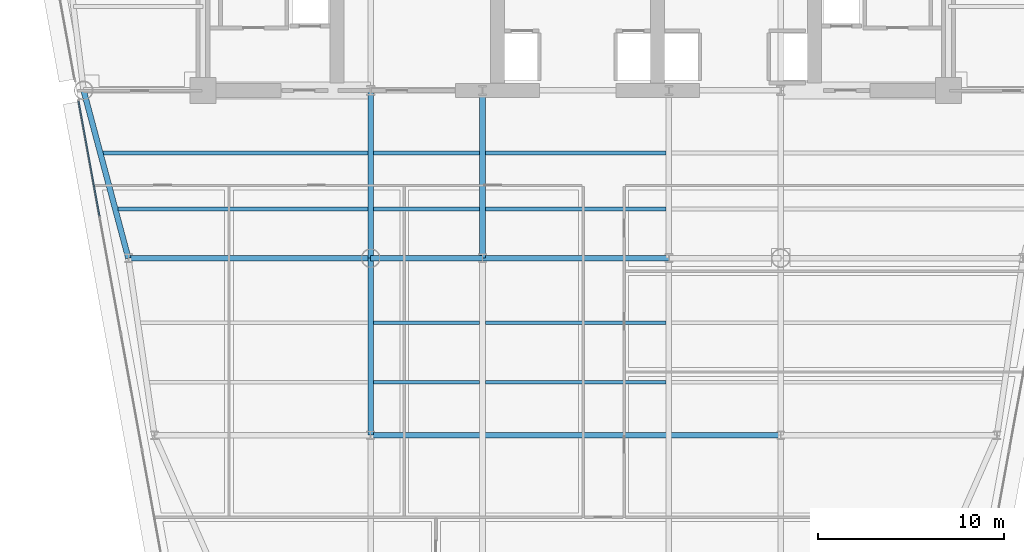
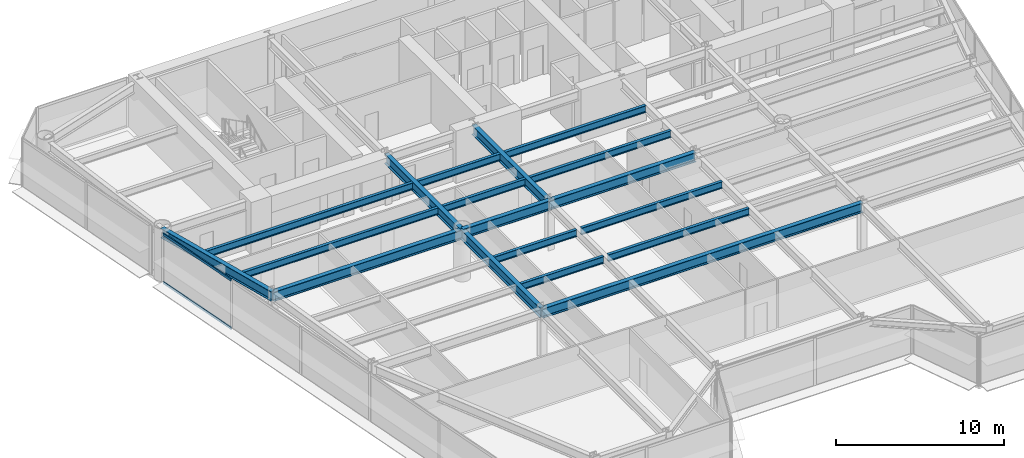
# One storey, part 3 of 14: 18 beams, 2 members, 1 element without a shape of its own.
"""IFC4 building model written with IfcOpenShell, lengths in metres."""

import ifcopenshell
import ifcopenshell.guid

model = None  # the IFC model being written
_history = None  # IfcOwnerHistory: only IFC2X3 demands one
_inside = {}  # id of a spatial element -> (the spatial element, [elements in it])
_under = {}  # id of a project, library or spatial element -> (it, [spatial elements below it])
_declared = {}  # id of a project -> (the project, [libraries it declares])
_typed = {}  # id of a type object -> (the type object, [elements of that type])
_made_of = {}  # id of a material, layer set ... -> (it, [elements and type objects made of it])


def new_model(schema):
    """Start an empty IFC model of exactly this schema.

    Asked for "IFC4X3", IfcOpenShell would pick the latest addendum, in which some entities
    have other attributes; the version numbers below select the first issue.
    IFC2X3 requires an IfcOwnerHistory on every rooted entity: one is made here for all.
    """
    global model, _history
    if schema == "IFC4X3":
        model = ifcopenshell.file(schema_version=(4, 3, 0, 0))
    else:
        model = ifcopenshell.file(schema=schema)
    _inside.clear()
    _under.clear()
    _declared.clear()
    _typed.clear()
    _made_of.clear()
    _history = None
    if model.schema == "IFC2X3":
        org = make("IfcOrganization", Name="unknown")
        user = make(
            "IfcPersonAndOrganization",
            ThePerson=make("IfcPerson", FamilyName="unknown"),
            TheOrganization=org,
        )
        app = make(
            "IfcApplication",
            ApplicationDeveloper=org,
            Version="unknown",
            ApplicationFullName="unknown",
            ApplicationIdentifier="unknown",
        )
        _history = make(
            "IfcOwnerHistory",
            OwningUser=user,
            OwningApplication=app,
            ChangeAction="ADDED",
            CreationDate=0,
        )
    return model


def make(cls, **values):
    """One entity of the class cls with the attributes given. An attribute that is None is left unset."""
    return model.create_entity(
        cls, **{name: value for name, value in values.items() if value is not None}
    )


def rooted(cls, **values):
    """An entity with a GlobalId (a new one), such as an element, a storey or a relation."""
    return make(cls, GlobalId=ifcopenshell.guid.new(), OwnerHistory=_history, **values)


def si_unit(unit_type, name, prefix=None):
    """IfcSIUnit, for example si_unit("LENGTHUNIT", "METRE", prefix="MILLI")."""
    return make("IfcSIUnit", UnitType=unit_type, Prefix=prefix, Name=name)


def assignment(units):
    """IfcUnitAssignment: the units of a project."""
    return None if units is None else make("IfcUnitAssignment", Units=units)


def point(xyz):
    """IfcCartesianPoint."""
    return None if xyz is None else make("IfcCartesianPoint", Coordinates=xyz)


def direction(xyz):
    """IfcDirection."""
    return None if xyz is None else make("IfcDirection", DirectionRatios=xyz)


def frame(location, z_axis=None, x_axis=None):
    """IfcAxis2Placement3D, a coordinate frame: its origin and axes. An axis left out is left unset."""
    return make(
        "IfcAxis2Placement3D",
        Location=point(location),
        Axis=direction(z_axis),
        RefDirection=direction(x_axis),
    )


def frame_2d(location, x_axis=None):
    """IfcAxis2Placement2D, a coordinate frame in the plane: its origin and x axis."""
    return make(
        "IfcAxis2Placement2D", Location=point(location), RefDirection=direction(x_axis)
    )


def origin():
    """The frame at (0, 0, 0) with its axes left unset."""
    return frame((0.0, 0.0, 0.0))


def origin_2d():
    """The frame at (0, 0) in the plane with its x axis left unset."""
    return frame_2d((0.0, 0.0))


def place(relative_to, where):
    """IfcLocalPlacement: puts the frame where relative to a parent placement (None: the world)."""
    return make(
        "IfcLocalPlacement", PlacementRelTo=relative_to, RelativePlacement=where
    )


def context(
    kind, dimensions, precision=None, world=None, true_north=None, identifier=None
):
    """IfcGeometricRepresentationContext, for example the 3D "Model" context."""
    return make(
        "IfcGeometricRepresentationContext",
        ContextIdentifier=identifier,
        ContextType=kind,
        CoordinateSpaceDimension=dimensions,
        Precision=precision,
        WorldCoordinateSystem=world,
        TrueNorth=true_north,
    )


def subcontext(parent, identifier, kind, view, scale=None):
    """IfcGeometricRepresentationSubContext, for example "Body" below "Model"."""
    return make(
        "IfcGeometricRepresentationSubContext",
        ContextIdentifier=identifier,
        ContextType=kind,
        ParentContext=parent,
        TargetScale=scale,
        TargetView=view,
    )


def project(units=None, contexts=None):
    """IfcProject with its units and contexts."""
    return rooted(
        "IfcProject",
        Name="project",
        RepresentationContexts=contexts,
        UnitsInContext=assignment(units),
    )


def spatial(cls, under=None, at=None, **own):
    """A site, building, storey or space (cls), placed at a placement, below another one or the project."""
    s = rooted(cls, ObjectPlacement=at, **own)
    if under is not None:
        _under.setdefault(under.id(), (under, []))[1].append(s)
    return s


def profile(cls, at=None, kind="AREA", **sizes):
    """A parametric profile (cls). Its sizes go by their IFC names, for example OverallWidth=200.0."""
    return make(cls, ProfileType=kind, Position=at, **sizes)


def rectangle(**sizes):
    """IfcRectangleProfileDef."""
    return profile("IfcRectangleProfileDef", **sizes)


def i_section(**sizes):
    """IfcIShapeProfileDef."""
    return profile("IfcIShapeProfileDef", **sizes)


def extrude(swept, where, along, depth):
    """IfcExtrudedAreaSolid: the profile swept, set in the frame where, extruded along a direction by depth."""
    return make(
        "IfcExtrudedAreaSolid",
        SweptArea=swept,
        Position=where,
        ExtrudedDirection=direction(along),
        Depth=depth,
    )


def shape(context_of_items, identifier, shape_type, items):
    """IfcShapeRepresentation: the items that make up one representation, for example the "Body"."""
    return make(
        "IfcShapeRepresentation",
        ContextOfItems=context_of_items,
        RepresentationIdentifier=identifier,
        RepresentationType=shape_type,
        Items=items,
    )


def source(mapping_origin, context_of_items, identifier, shape_type, items):
    """IfcRepresentationMap: a shape defined once, which mapped items show again and again."""
    return make(
        "IfcRepresentationMap",
        MappingOrigin=mapping_origin,
        MappedRepresentation=shape(context_of_items, identifier, shape_type, items),
    )


def transform(
    local_origin,
    x_axis=None,
    y_axis=None,
    z_axis=None,
    scale=None,
    scale2=None,
    scale3=None,
    uniform=True,
):
    """IfcCartesianTransformationOperator3D, or its non-uniform kind. x_axis, y_axis, z_axis: its Axis1, 2, 3."""
    if uniform:
        return make(
            "IfcCartesianTransformationOperator3D",
            Axis1=direction(x_axis),
            Axis2=direction(y_axis),
            LocalOrigin=point(local_origin),
            Scale=scale,
            Axis3=direction(z_axis),
        )
    return make(
        "IfcCartesianTransformationOperator3DnonUniform",
        Axis1=direction(x_axis),
        Axis2=direction(y_axis),
        LocalOrigin=point(local_origin),
        Scale=scale,
        Axis3=direction(z_axis),
        Scale2=scale2,
        Scale3=scale3,
    )


def mapped(mapping_source, mapping_target):
    """IfcMappedItem: shows the shape of a source again, moved by a transform."""
    return make(
        "IfcMappedItem", MappingSource=mapping_source, MappingTarget=mapping_target
    )


def material(Name=None, Category=None):
    """IfcMaterial."""
    return make("IfcMaterial", Name=Name, Category=Category)


def layer(
    of_material, thickness, ventilated=None, Name=None, Category=None, Priority=None
):
    """IfcMaterialLayer: one layer of a wall or slab, of a material (None: an air gap)."""
    return make(
        "IfcMaterialLayer",
        Material=of_material,
        LayerThickness=thickness,
        IsVentilated=ventilated,
        Name=Name,
        Category=Category,
        Priority=Priority,
    )


def layer_set(layers, Name=None):
    """IfcMaterialLayerSet."""
    return make("IfcMaterialLayerSet", MaterialLayers=layers, LayerSetName=Name)


def material_profile(
    of_material, cross_section, Name=None, Category=None, Priority=None
):
    """IfcMaterialProfile: a cross section and its material."""
    return make(
        "IfcMaterialProfile",
        Name=Name,
        Material=of_material,
        Profile=cross_section,
        Priority=Priority,
        Category=Category,
    )


def profile_set(profiles, Name=None, composite=None):
    """IfcMaterialProfileSet."""
    return make(
        "IfcMaterialProfileSet",
        Name=Name,
        MaterialProfiles=profiles,
        CompositeProfile=composite,
    )


def made_of(thing, what):
    """Note that an element or type object is made of a material, layer set ...; save() writes the relation."""
    if what is not None:
        _made_of.setdefault(what.id(), (what, []))[1].append(thing)
    return thing


def type_object(cls, material=None, **own):
    """A type object (cls), such as IfcWallType, which elements share."""
    return made_of(rooted(cls, **own), material)


def element(
    cls,
    number,
    at=None,
    inside=None,
    cuts=None,
    type_object=None,
    material=None,
    context=None,
    identifier="Body",
    shape_type=None,
    held_by="IfcProductDefinitionShape",
    body=None,
    shapes=None,
    **own,
):
    """One element of the class cls, such as IfcWall. Its Tag is "e" and its number.

    at: its placement. inside: the storey or other place that contains it. cuts: it is an
    opening in that element (IfcRelVoidsElement). A single representation is given by context,
    identifier, shape_type and body (its items); several are given by shapes. held_by: the class
    of the entity that holds the representations. save() writes the other relations.
    """
    e = rooted(cls, Tag="e%d" % number, ObjectPlacement=at, **own)
    if body is not None:
        shapes = [shape(context, identifier, shape_type, body)]
    if shapes is not None:
        e.Representation = make(held_by, Representations=shapes)
    if inside is not None:
        _inside.setdefault(inside.id(), (inside, []))[1].append(e)
    if cuts is not None:
        rooted(
            "IfcRelVoidsElement", RelatingBuildingElement=cuts, RelatedOpeningElement=e
        )
    if type_object is not None:
        _typed.setdefault(type_object.id(), (type_object, []))[1].append(e)
    return made_of(e, material)


def aggregate(whole, parts):
    """IfcRelAggregates: a whole, such as a stair, and the parts it consists of."""
    return rooted("IfcRelAggregates", RelatingObject=whole, RelatedObjects=parts)


def save(model, path):
    """Write the relations noted so far, then the file.

    IfcRelAggregates (storeys below a building ...), IfcRelContainedInSpatialStructure (elements
    in a storey), IfcRelDefinesByType, IfcRelAssociatesMaterial and IfcRelDeclares: one each for
    every whole, place, type object, material and project.
    """
    for whole, parts in _under.values():
        aggregate(whole, parts)
    for where, things in _inside.values():
        rooted(
            "IfcRelContainedInSpatialStructure",
            RelatedElements=things,
            RelatingStructure=where,
        )
    for kind, things in _typed.values():
        rooted("IfcRelDefinesByType", RelatedObjects=things, RelatingType=kind)
    for what, things in _made_of.values():
        rooted("IfcRelAssociatesMaterial", RelatedObjects=things, RelatingMaterial=what)
    for by, libraries in _declared.values():
        rooted("IfcRelDeclares", RelatingContext=by, RelatedDefinitions=libraries)
    model.write(path)


model = new_model("IFC4")

# Units and contexts
model_context = context("Model", 3, precision=1e-05, world=origin(), true_north=direction((0.0, 1.0)))
body_context = subcontext(model_context, "Body", "Model", "MODEL_VIEW")
ifc_project = project(units=[si_unit("LENGTHUNIT", "METRE"), si_unit("AREAUNIT", "SQUARE_METRE"), si_unit("VOLUMEUNIT", "CUBIC_METRE"), si_unit("PLANEANGLEUNIT", "RADIAN"), si_unit("MASSUNIT", "GRAM", prefix="KILO")], contexts=[model_context])

# Site, building, storey
site_placement = place(None, origin())
site = spatial("IfcSite", under=ifc_project, at=site_placement, CompositionType="ELEMENT")
building_placement = place(site_placement, origin())
building = spatial("IfcBuilding", under=site, at=building_placement, Name="Vaeldorn Concourse Tower", CompositionType="ELEMENT")
storey_placement = place(building_placement, frame((0.0, 0.0, 107.199951171875)))
storey = spatial("IfcBuildingStorey", under=building, at=storey_placement, Name="L27", CompositionType="ELEMENT", Elevation=107.199951171875)

# Beams
ifc_material_1 = material(Name="Steel S355", Category="steel")
ifc_material_profile_1 = material_profile(ifc_material_1, i_section(OverallWidth=0.199951171875, OverallDepth=0.5, WebThickness=0.01025390625, FlangeThickness=0.01611328125, FilletRadius=0.02099609375, at=origin_2d()), Name="IPE 500")
ifc_profile_set_1 = profile_set([ifc_material_profile_1], Name="Steel S355")
beam_type_1 = type_object("IfcBeamType", Name="BM-JS-IPE500", PredefinedType="JOIST", material=ifc_profile_set_1)
shared_shape_1 = source(origin(), body_context, "Body", "SweptSolid", [
    extrude(i_section(OverallWidth=0.199951171875, OverallDepth=0.5, WebThickness=0.01025390625, FlangeThickness=0.01611328125, FilletRadius=0.02099609375, at=origin_2d()), origin(), (0.0, 0.0, 1.0), 5.7001953125),
])
for number, where, z_axis, x_axis, name in (
    (1, (23.14990234375, 20.840087890625, 3.330078125), (1.0, 0.0, 0.0), (0.0, 1.0, 0.0), "Beam JS-L27-W2-208"),
    (2, (23.14990234375, 24.0400390625, 3.330078125), (1.0, 0.0, 0.0), (0.0, 1.0, 0.0), "Beam JS-L27-W2-240"),
    (3, (23.14990234375, 30.139892578125, 3.330078125), (1.0, 0.0, 0.0), (0.0, 1.0, 0.0), "Beam JS-L27-W2-301"),
    (4, (23.14990234375, 33.139892578125, 3.330078125), (1.0, 0.0, 0.0), (0.0, 1.0, 0.0), "Beam JS-L27-W2-331"),
):
    element("IfcBeam", number, at=place(storey_placement, frame(where, z_axis=z_axis, x_axis=x_axis)), inside=storey, type_object=beam_type_1, Name=name, PredefinedType="JOIST", context=body_context, shape_type="MappedRepresentation", body=[
        mapped(shared_shape_1, transform((0.0, 0.0, 0.0), scale=1.0)),
    ])
shared_shape_2 = source(origin(), body_context, "Body", "SweptSolid", [
    extrude(i_section(OverallWidth=0.199951171875, OverallDepth=0.5, WebThickness=0.01025390625, FlangeThickness=0.01611328125, FilletRadius=0.02099609375, at=origin_2d()), origin(), (0.0, 0.0, 1.0), 9.7001953125),
])
for number, where, z_axis, x_axis, name in (
    (5, (29.14990234375, 20.840087890625, 3.330078125), (1.0, 0.0, 0.0), (0.0, 1.0, 0.0), "Beam JS-L27-C-208"),
    (6, (29.14990234375, 24.0400390625, 3.330078125), (1.0, 0.0, 0.0), (0.0, 1.0, 0.0), "Beam JS-L27-C-240"),
    (7, (29.14990234375, 30.139892578125, 3.330078125), (1.0, 0.0, 0.0), (0.0, 1.0, 0.0), "Beam JS-L27-C-301"),
    (8, (29.14990234375, 33.139892578125, 3.330078125), (1.0, 0.0, 0.0), (0.0, 1.0, 0.0), "Beam JS-L27-C-331"),
):
    element("IfcBeam", number, at=place(storey_placement, frame(where, z_axis=z_axis, x_axis=x_axis)), inside=storey, type_object=beam_type_1, Name=name, PredefinedType="JOIST", context=body_context, shape_type="MappedRepresentation", body=[
        mapped(shared_shape_2, transform((0.0, 0.0, 0.0), scale=1.0)),
    ])
shared_shape_3 = source(origin(), body_context, "Body", "SweptSolid", [
    extrude(i_section(OverallWidth=0.199951171875, OverallDepth=0.5, WebThickness=0.01025390625, FlangeThickness=0.01611328125, FilletRadius=0.02099609375, at=origin_2d()), origin(), (0.0, 0.0, 1.0), 13.404052734375),
])
beam_1_placement = place(storey_placement, frame((9.446044921875, 30.139892578125, 3.330078125), z_axis=(1.0, 0.0, 0.0), x_axis=(0.0, 1.0, 0.0)))
element("IfcBeam", 9, at=beam_1_placement, inside=storey, type_object=beam_type_1, Name="Beam JS-L27-W1-301", PredefinedType="JOIST", context=body_context, shape_type="MappedRepresentation", body=[
    mapped(shared_shape_3, transform((0.0, 0.0, 0.0), scale=1.0)),
])
shared_shape_4 = source(origin(), body_context, "Body", "SweptSolid", [
    extrude(i_section(OverallWidth=0.199951171875, OverallDepth=0.5, WebThickness=0.01025390625, FlangeThickness=0.01611328125, FilletRadius=0.02099609375, at=origin_2d()), origin(), (0.0, 0.0, 1.0), 14.2041015625),
])
beam_2_placement = place(storey_placement, frame((8.64599609375, 33.139892578125, 3.330078125), z_axis=(1.0, 0.0, 0.0), x_axis=(0.0, 1.0, 0.0)))
element("IfcBeam", 10, at=beam_2_placement, inside=storey, type_object=beam_type_1, Name="Beam JS-L27-W1-331", PredefinedType="JOIST", context=body_context, shape_type="MappedRepresentation", body=[
    mapped(shared_shape_4, transform((0.0, 0.0, 0.0), scale=1.0)),
])
ifc_material_profile_2 = material_profile(ifc_material_1, i_section(OverallWidth=0.300048828125, OverallDepth=0.699951171875, WebThickness=0.01708984375, FlangeThickness=0.031982421875, FilletRadius=0.027099609375, at=origin_2d()), Name="HEB 700")
ifc_profile_set_2 = profile_set([ifc_material_profile_2], Name="Steel S355")
beam_type_2 = type_object("IfcBeamType", Name="BM-PG-HEB700", PredefinedType="BEAM", material=ifc_profile_set_2)
shared_shape_5 = source(origin(), body_context, "Body", "SweptSolid", [
    extrude(i_section(OverallWidth=0.300048828125, OverallDepth=0.699951171875, WebThickness=0.01708984375, FlangeThickness=0.031982421875, FilletRadius=0.027099609375, at=origin_2d()), origin(), (0.0, 0.0, 1.0), 6.0),
])
beam_3_placement = place(storey_placement, frame((23.0, 27.5, 3.22998046875), z_axis=(1.0, 0.0, 0.0), x_axis=(0.0, 1.0, 0.0)))
element("IfcBeam", 11, at=beam_3_placement, inside=storey, type_object=beam_type_2, Name="Beam BM-L27-C-TW1-C-TW2", PredefinedType="BEAM", context=body_context, shape_type="MappedRepresentation", body=[
    mapped(shared_shape_5, transform((0.0, 0.0, 0.0), scale=1.0)),
])
shared_shape_6 = source(origin(), body_context, "Body", "SweptSolid", [
    extrude(i_section(OverallWidth=0.300048828125, OverallDepth=0.699951171875, WebThickness=0.01708984375, FlangeThickness=0.031982421875, FilletRadius=0.027099609375, at=origin_2d()), origin(), (0.0, 0.0, 1.0), 10.0),
])
beam_4_placement = place(storey_placement, frame((29.0, 27.5, 3.22998046875), z_axis=(1.0, 0.0, 0.0), x_axis=(0.0, 1.0, 0.0)))
element("IfcBeam", 12, at=beam_4_placement, inside=storey, type_object=beam_type_2, Name="Beam BM-L27-C-TW2-C-TW3", PredefinedType="BEAM", context=body_context, shape_type="MappedRepresentation", body=[
    mapped(shared_shape_6, transform((0.0, 0.0, 0.0), scale=1.0)),
])
shared_shape_7 = source(origin(), body_context, "Body", "SweptSolid", [
    extrude(i_section(OverallWidth=0.300048828125, OverallDepth=0.699951171875, WebThickness=0.01708984375, FlangeThickness=0.031982421875, FilletRadius=0.027099609375, at=origin_2d()), origin(), (0.0, 0.0, 1.0), 9.0),
])
for number, where, z_axis, x_axis, name in (
    (13, (23.0, 27.5, 3.22998046875), (0.0, 1.0, 0.0), (-1.0, 0.0, 0.0), "Beam BM-L27-C-TW1-C-FC2"),
    (14, (29.0, 27.5, 3.22998046875), (0.0, 1.0, 0.0), (-1.0, 0.0, 0.0), "Beam BM-L27-C-TW2-C-FC3"),
):
    element("IfcBeam", number, at=place(storey_placement, frame(where, z_axis=z_axis, x_axis=x_axis)), inside=storey, type_object=beam_type_2, Name=name, PredefinedType="BEAM", context=body_context, shape_type="MappedRepresentation", body=[
        mapped(shared_shape_7, transform((0.0, 0.0, 0.0), scale=1.0)),
    ])
shared_shape_8 = source(origin(), body_context, "Body", "SweptSolid", [
    extrude(i_section(OverallWidth=0.300048828125, OverallDepth=0.699951171875, WebThickness=0.01708984375, FlangeThickness=0.031982421875, FilletRadius=0.027099609375, at=origin_2d()), origin(), (0.0, 0.0, 1.0), 9.314453125),
])
beam_5_placement = place(storey_placement, frame((7.60009765625, 36.5, 3.22998046875), z_axis=(0.257652862255, -0.966237549763, 0.0), x_axis=(0.966237549763, 0.257652862255, 0.0)))
element("IfcBeam", 15, at=beam_5_placement, inside=storey, type_object=beam_type_2, Name="Beam BM-L27-C-NW2-C-FLW1", PredefinedType="BEAM", context=body_context, shape_type="MappedRepresentation", body=[
    mapped(shared_shape_8, transform((0.0, 0.0, 0.0), scale=1.0)),
])
shared_shape_9 = source(origin(), body_context, "Body", "SweptSolid", [
    extrude(i_section(OverallWidth=0.300048828125, OverallDepth=0.699951171875, WebThickness=0.01708984375, FlangeThickness=0.031982421875, FilletRadius=0.027099609375, at=origin_2d()), origin(), (0.0, 0.0, 1.0), 13.0),
])
beam_6_placement = place(storey_placement, frame((10.0, 27.5, 3.22998046875), z_axis=(1.0, 0.0, 0.0), x_axis=(0.0, 1.0, 0.0)))
element("IfcBeam", 16, at=beam_6_placement, inside=storey, type_object=beam_type_2, Name="Beam BM-L27-C-FLW1-C-TW1", PredefinedType="BEAM", context=body_context, shape_type="MappedRepresentation", body=[
    mapped(shared_shape_9, transform((0.0, 0.0, 0.0), scale=1.0)),
])
shared_shape_10 = source(origin(), body_context, "Body", "SweptSolid", [
    extrude(i_section(OverallWidth=0.300048828125, OverallDepth=0.699951171875, WebThickness=0.01708984375, FlangeThickness=0.031982421875, FilletRadius=0.027099609375, at=origin_2d()), origin(), (0.0, 0.0, 1.0), 22.0),
])
beam_7_placement = place(storey_placement, frame((23.0, 18.0, 3.22998046875), z_axis=(1.0, 0.0, 0.0), x_axis=(0.0, 1.0, 0.0)))
element("IfcBeam", 17, at=beam_7_placement, inside=storey, type_object=beam_type_2, Name="Beam BM-L27-C-TW5-C-TW6", PredefinedType="BEAM", context=body_context, shape_type="MappedRepresentation", body=[
    mapped(shared_shape_10, transform((0.0, 0.0, 0.0), scale=1.0)),
])
shared_shape_11 = source(origin(), body_context, "Body", "SweptSolid", [
    extrude(i_section(OverallWidth=0.300048828125, OverallDepth=0.699951171875, WebThickness=0.01708984375, FlangeThickness=0.031982421875, FilletRadius=0.027099609375, at=origin_2d()), origin(), (0.0, 0.0, 1.0), 9.5),
])
beam_8_placement = place(storey_placement, frame((23.0, 18.0, 3.22998046875), z_axis=(0.0, 1.0, 0.0), x_axis=(-1.0, 0.0, 0.0)))
element("IfcBeam", 18, at=beam_8_placement, inside=storey, type_object=beam_type_2, Name="Beam BM-L27-C-TW5-C-TW1", PredefinedType="BEAM", context=body_context, shape_type="MappedRepresentation", body=[
    mapped(shared_shape_11, transform((0.0, 0.0, 0.0), scale=1.0)),
])

# Curtain wall, members
ifc_material_2 = material(Name="Anodised Bronze Aluminium", Category="aluminium")
ifc_layer = layer(ifc_material_2, 0.199951171875)
ifc_layer_set = layer_set([ifc_layer], Name="Anodised Bronze Aluminium")
curtain_wall_type = type_object("IfcCurtainWallType", Name="CW-SYS-02", PredefinedType="NOTDEFINED", material=ifc_layer_set)
curtain_wall_placement = place(storey_placement, origin())
curtain_wall = element("IfcCurtainWall", 19, at=curtain_wall_placement, inside=storey, type_object=curtain_wall_type, Name="Unitised Curtain Wall CW-L27-E11-2", PredefinedType="NOTDEFINED")
ifc_material_profile_3 = material_profile(ifc_material_2, rectangle(XDim=0.074951171875, YDim=0.179931640625, at=origin_2d()), Name="CWT 75x180")
ifc_profile_set_3 = profile_set([ifc_material_profile_3], Name="Anodised Bronze Aluminium")
member_type = type_object("IfcMemberType", Name="CWT-BRONZE-180", PredefinedType="USERDEFINED", material=ifc_profile_set_3)
shared_shape_12 = source(origin(), body_context, "Body", "SweptSolid", [
    extrude(rectangle(XDim=0.074951171875, YDim=0.179931640625, at=origin_2d()), origin(), (0.0, 0.0, 1.0), 6.248779296875),
])
member_1_placement = place(storey_placement, frame((7.331298828125, 35.908203125, 0.03759765625), z_axis=(0.17929456911, -0.983795434777, 0.0), x_axis=(0.983795434777, 0.17929456911, 0.0)))
member_1 = element("IfcMember", 20, at=member_1_placement, type_object=member_type, Name="CW-02 transom 1.1", ObjectType="TRANSOM", PredefinedType="USERDEFINED", context=body_context, shape_type="MappedRepresentation", body=[
    mapped(shared_shape_12, transform((0.0, 0.0, 0.0), scale=1.0)),
])
member_2_placement = place(storey_placement, frame((7.331298828125, 35.908203125, 3.54248046875), z_axis=(0.17929456911, -0.983795434777, 0.0), x_axis=(0.983795434777, 0.17929456911, 0.0)))
member_2 = element("IfcMember", 21, at=member_2_placement, type_object=member_type, Name="CW-02 transom 1.2", ObjectType="TRANSOM", PredefinedType="USERDEFINED", context=body_context, shape_type="MappedRepresentation", body=[
    mapped(shared_shape_12, transform((0.0, 0.0, 0.0), scale=1.0)),
])
aggregate(curtain_wall, [member_1, member_2])

save(model, "model.ifc")
